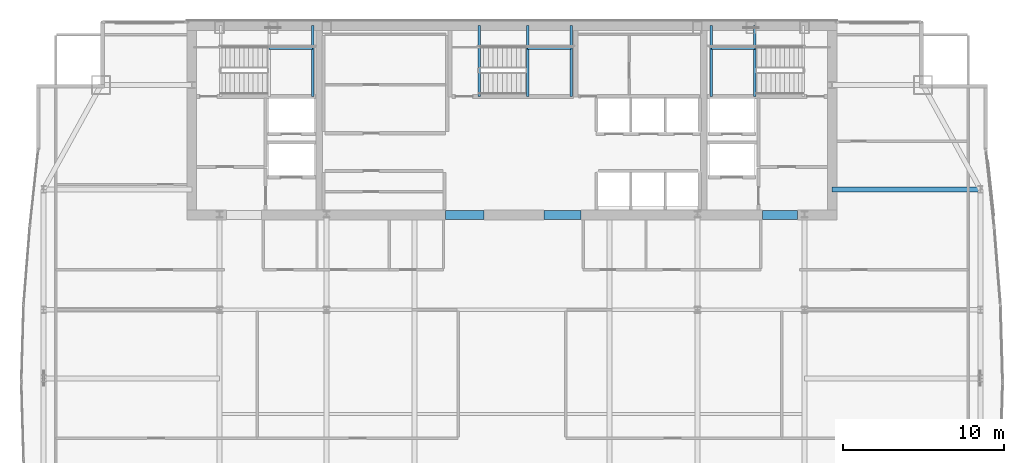
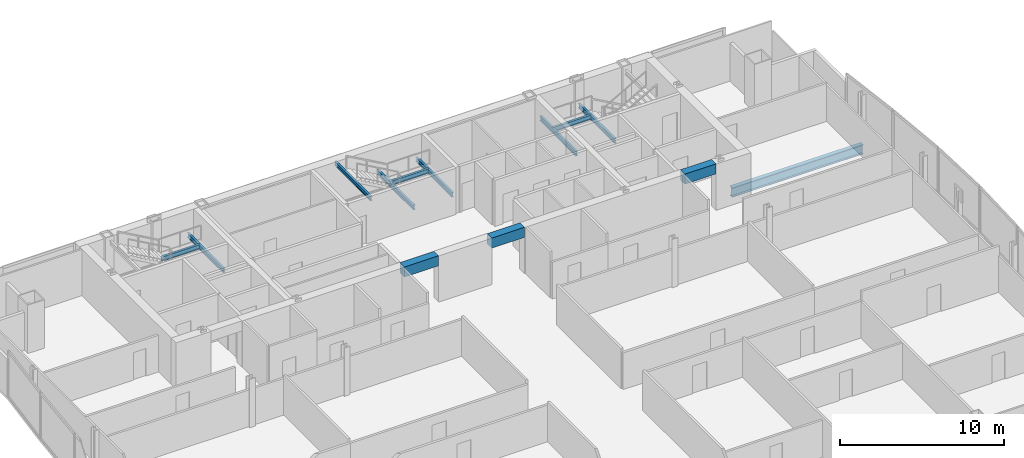
# One storey, part 24 of 32: 13 beams.
"""IFC4 building model written with IfcOpenShell, lengths in metres."""

from ifc_helpers import new_model, si_unit, direction, frame, origin, origin_2d, place, context, subcontext, project, spatial, rectangle, i_section, extrude, material, material_profile, profile_set, type_object, element, save


model = new_model("IFC4")

# Units and contexts
model_context = context("Model", 3, precision=1e-05, world=origin(), true_north=direction((0.0, 1.0)))
body_context = subcontext(model_context, "Body", "Model", "MODEL_VIEW")
ifc_project = project(units=[si_unit("LENGTHUNIT", "METRE"), si_unit("AREAUNIT", "SQUARE_METRE"), si_unit("VOLUMEUNIT", "CUBIC_METRE"), si_unit("PLANEANGLEUNIT", "RADIAN"), si_unit("MASSUNIT", "GRAM", prefix="KILO")], contexts=[model_context])

# Site, building, storey
site_placement = place(None, origin())
site = spatial("IfcSite", under=ifc_project, at=site_placement, CompositionType="ELEMENT")
building_placement = place(site_placement, origin())
building = spatial("IfcBuilding", under=site, at=building_placement, Name="Khoronbel Lancet Exchange", CompositionType="ELEMENT")
storey_placement = place(building_placement, frame((0.0, 0.0, 195.800048828125)))
storey = spatial("IfcBuildingStorey", under=building, at=storey_placement, Name="L49", CompositionType="ELEMENT", Elevation=195.800048828125)

# Beams
ifc_material_1 = material(Name="Steel S355", Category="steel")
ifc_material_profile_1 = material_profile(ifc_material_1, i_section(OverallWidth=0.300048828125, OverallDepth=0.699951171875, WebThickness=0.01708984375, FlangeThickness=0.031982421875, at=origin_2d()), Name="HEB 700")
ifc_profile_set_1 = profile_set([ifc_material_profile_1], Name="Steel S355")
beam_type_1 = type_object("IfcBeamType", Name="BM-BG3", PredefinedType="BEAM", material=ifc_profile_set_1)
beam_1_placement = place(storey_placement, frame((56.39990234375, 43.199951171875, -0.510009765625), z_axis=(1.0, 0.0, 0.0), x_axis=(0.0, 1.0, 0.0)))
element("IfcBeam", 1, at=beam_1_placement, inside=storey, type_object=beam_type_1, Name="Level L49 east lens tie girder LG3E", PredefinedType="BEAM", context=body_context, shape_type="SweptSolid", body=[
    extrude(i_section(OverallWidth=0.300048828125, OverallDepth=0.699951171875, WebThickness=0.01708984375, FlangeThickness=0.031982421875, at=origin_2d()), origin(), (0.0, 0.0, 1.0), 9.22998046875),
])
ifc_material_profile_2 = material_profile(ifc_material_1, i_section(OverallWidth=0.159912109375, OverallDepth=0.330078125, WebThickness=0.007568359375, FlangeThickness=0.011474609375, at=origin_2d()), Name="IPE 330")
ifc_profile_set_2 = profile_set([ifc_material_profile_2], Name="Steel S355")
beam_type_2 = type_object("IfcBeamType", Name="BM-BJ7", PredefinedType="JOIST", material=ifc_profile_set_2)
beam_2_placement = place(storey_placement, frame((24.030029296875, 48.97998046875, 1.43505859375), z_axis=(0.0, 1.0, 0.0), x_axis=(-1.0, 0.0, 0.0)))
element("IfcBeam", 2, at=beam_2_placement, inside=storey, type_object=beam_type_2, Name="Level L49 stair ST1 rear landing bearer beam 1", PredefinedType="JOIST", context=body_context, shape_type="SweptSolid", body=[
    extrude(i_section(OverallWidth=0.159912109375, OverallDepth=0.330078125, WebThickness=0.007568359375, FlangeThickness=0.011474609375, at=origin_2d()), origin(), (0.0, 0.0, 1.0), 4.419921875),
])
beam_3_placement = place(storey_placement, frame((21.320068359375, 51.97998046875, 1.43505859375), z_axis=(1.0, 0.0, 0.0), x_axis=(0.0, 1.0, 0.0)))
element("IfcBeam", 3, at=beam_3_placement, inside=storey, type_object=beam_type_2, Name="Level L49 stair ST1 landing cross trimmer beam 1", PredefinedType="JOIST", context=body_context, shape_type="SweptSolid", body=[
    extrude(i_section(OverallWidth=0.159912109375, OverallDepth=0.330078125, WebThickness=0.007568359375, FlangeThickness=0.011474609375, at=origin_2d()), origin(), (0.0, 0.0, 1.0), 2.7099609375),
])
for number, where, z_axis, x_axis, name in (
    (4, (51.580078125, 48.97998046875, 1.43505859375), (0.0, 1.0, 0.0), (-1.0, 0.0, 0.0), "Level L49 stair ST2 landing bearer beam 1"),
    (5, (48.8701171875, 48.97998046875, 1.43505859375), (0.0, 1.0, 0.0), (-1.0, 0.0, 0.0), "Level L49 stair ST2 rear landing bearer beam 1"),
):
    element("IfcBeam", number, at=place(storey_placement, frame(where, z_axis=z_axis, x_axis=x_axis)), inside=storey, type_object=beam_type_2, Name=name, PredefinedType="JOIST", context=body_context, shape_type="SweptSolid", body=[
        extrude(i_section(OverallWidth=0.159912109375, OverallDepth=0.330078125, WebThickness=0.007568359375, FlangeThickness=0.011474609375, at=origin_2d()), origin(), (0.0, 0.0, 1.0), 4.419921875),
    ])
beam_4_placement = place(storey_placement, frame((48.8701171875, 51.97998046875, 1.43505859375), z_axis=(1.0, 0.0, 0.0), x_axis=(0.0, 1.0, 0.0)))
element("IfcBeam", 6, at=beam_4_placement, inside=storey, type_object=beam_type_2, Name="Level L49 stair ST2 landing cross trimmer beam 1", PredefinedType="JOIST", context=body_context, shape_type="SweptSolid", body=[
    extrude(i_section(OverallWidth=0.159912109375, OverallDepth=0.330078125, WebThickness=0.007568359375, FlangeThickness=0.011474609375, at=origin_2d()), origin(), (0.0, 0.0, 1.0), 2.7099609375),
])
for number, where, z_axis, x_axis, name in (
    (7, (37.419921875, 48.97998046875, 1.43505859375), (0.0, 1.0, 0.0), (-1.0, 0.0, 0.0), "Level L49 stair ST3 landing bearer beam 1"),
    (8, (40.1298828125, 48.97998046875, 1.43505859375), (0.0, 1.0, 0.0), (-1.0, 0.0, 0.0), "Level L49 stair ST3 rear landing bearer beam 1"),
):
    element("IfcBeam", number, at=place(storey_placement, frame(where, z_axis=z_axis, x_axis=x_axis)), inside=storey, type_object=beam_type_2, Name=name, PredefinedType="JOIST", context=body_context, shape_type="SweptSolid", body=[
        extrude(i_section(OverallWidth=0.159912109375, OverallDepth=0.330078125, WebThickness=0.007568359375, FlangeThickness=0.011474609375, at=origin_2d()), origin(), (0.0, 0.0, 1.0), 4.419921875),
    ])
beam_5_placement = place(storey_placement, frame((37.419921875, 51.97998046875, 1.43505859375), z_axis=(1.0, 0.0, 0.0), x_axis=(0.0, 1.0, 0.0)))
element("IfcBeam", 9, at=beam_5_placement, inside=storey, type_object=beam_type_2, Name="Level L49 stair ST3 landing cross trimmer beam 1", PredefinedType="JOIST", context=body_context, shape_type="SweptSolid", body=[
    extrude(i_section(OverallWidth=0.159912109375, OverallDepth=0.330078125, WebThickness=0.007568359375, FlangeThickness=0.011474609375, at=origin_2d()), origin(), (0.0, 0.0, 1.0), 2.7099609375),
])
ifc_material_profile_3 = material_profile(ifc_material_1, i_section(OverallWidth=0.14990234375, OverallDepth=0.300048828125, WebThickness=0.007080078125, FlangeThickness=0.0107421875, at=origin_2d()), Name="IPE 300")
ifc_profile_set_3 = profile_set([ifc_material_profile_3], Name="Steel S355")
beam_type_3 = type_object("IfcBeamType", Name="BM-BJ8", PredefinedType="JOIST", material=ifc_profile_set_3)
beam_6_placement = place(storey_placement, frame((34.39990234375, 48.97998046875, 3.159912109375), z_axis=(0.0, 1.0, 0.0), x_axis=(-1.0, 0.0, 0.0)))
element("IfcBeam", 10, at=beam_6_placement, inside=storey, type_object=beam_type_3, Name="Level L49 stair ST3 upper-flight arrival trimmer beam", PredefinedType="JOIST", context=body_context, shape_type="SweptSolid", body=[
    extrude(i_section(OverallWidth=0.14990234375, OverallDepth=0.300048828125, WebThickness=0.007080078125, FlangeThickness=0.0107421875, at=origin_2d()), origin(), (0.0, 0.0, 1.0), 4.419921875),
])
ifc_material_2 = material(Name="Concrete C60/75", Category="concrete")
ifc_material_profile_4 = material_profile(ifc_material_2, rectangle(XDim=0.550048828125, YDim=0.75, at=origin_2d()), Name="RC 550x750")
ifc_profile_set_4 = profile_set([ifc_material_profile_4], Name="Concrete C60/75")
beam_type_4 = type_object("IfcBeamType", Name="BM-BL2", PredefinedType="LINTEL", material=ifc_profile_set_4)
beam_7_placement = place(storey_placement, frame((32.300048828125, 41.60009765625, 3.06494140625), z_axis=(1.0, 0.0, 0.0), x_axis=(0.0, 1.0, 0.0)))
element("IfcBeam", 11, at=beam_7_placement, inside=storey, type_object=beam_type_4, Name="Level L49 rear core coupling lintel L2", PredefinedType="LINTEL", context=body_context, shape_type="SweptSolid", body=[
    extrude(rectangle(XDim=0.550048828125, YDim=0.75, at=origin_2d()), origin(), (0.0, 0.0, 1.0), 2.39990234375),
])
beam_8_placement = place(storey_placement, frame((38.449951171875, 41.60009765625, 3.06494140625), z_axis=(1.0, 0.0, 0.0), x_axis=(0.0, 1.0, 0.0)))
element("IfcBeam", 12, at=beam_8_placement, inside=storey, type_object=beam_type_4, Name="Level L49 rear core coupling lintel L3", PredefinedType="LINTEL", context=body_context, shape_type="SweptSolid", body=[
    extrude(rectangle(XDim=0.550048828125, YDim=0.75, at=origin_2d()), origin(), (0.0, 0.0, 1.0), 2.300048828125),
])
beam_9_placement = place(storey_placement, frame((52.050048828125, 41.60009765625, 3.06494140625), z_axis=(1.0, 0.0, 0.0), x_axis=(0.0, 1.0, 0.0)))
element("IfcBeam", 13, at=beam_9_placement, inside=storey, type_object=beam_type_4, Name="Level L49 rear core coupling lintel L4", PredefinedType="LINTEL", context=body_context, shape_type="SweptSolid", body=[
    extrude(rectangle(XDim=0.550048828125, YDim=0.75, at=origin_2d()), origin(), (0.0, 0.0, 1.0), 2.199951171875),
])

save(model, "model.ifc")
